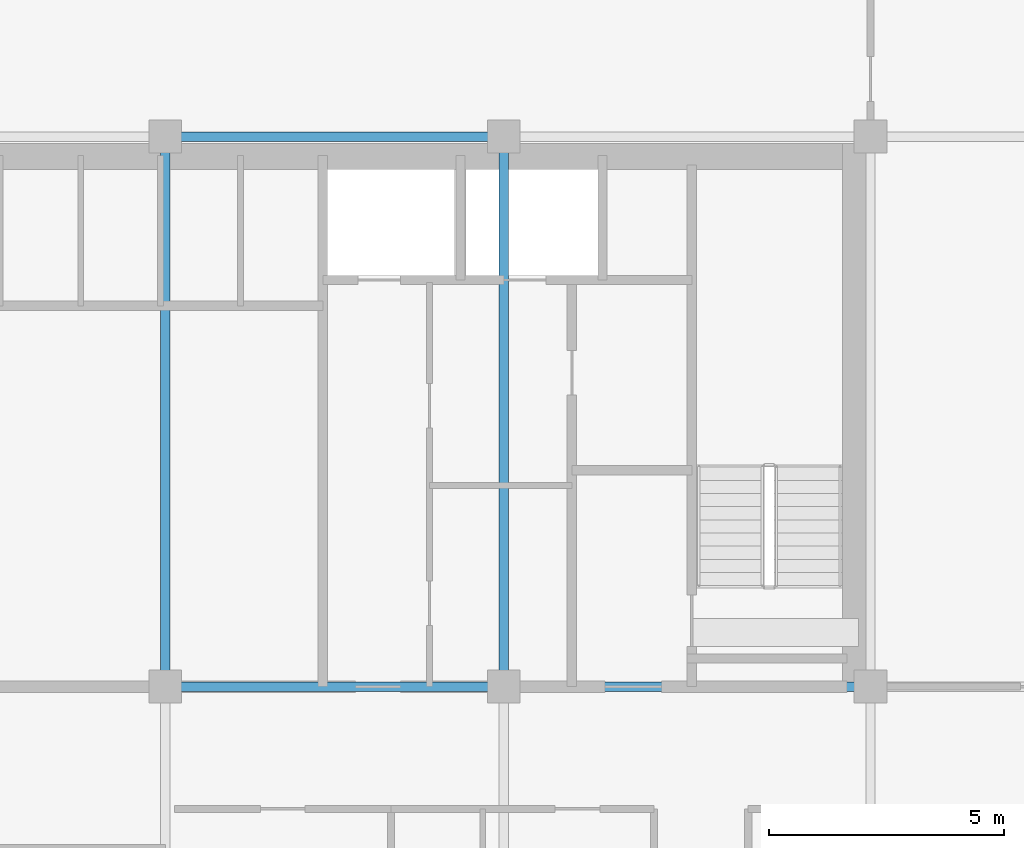
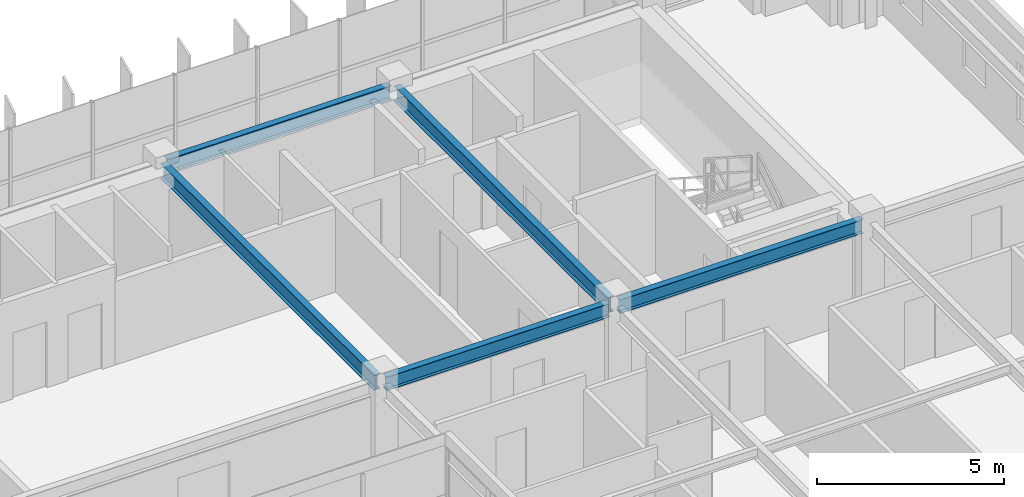
# One storey, part 23 of 37: 5 beams.
"""IFC4 building model written with IfcOpenShell, lengths in metres."""

import ifcopenshell
import ifcopenshell.guid

model = None  # the IFC model being written
_history = None  # IfcOwnerHistory: only IFC2X3 demands one
_inside = {}  # id of a spatial element -> (the spatial element, [elements in it])
_under = {}  # id of a project, library or spatial element -> (it, [spatial elements below it])
_declared = {}  # id of a project -> (the project, [libraries it declares])
_typed = {}  # id of a type object -> (the type object, [elements of that type])
_made_of = {}  # id of a material, layer set ... -> (it, [elements and type objects made of it])


def new_model(schema):
    """Start an empty IFC model of exactly this schema.

    Asked for "IFC4X3", IfcOpenShell would pick the latest addendum, in which some entities
    have other attributes; the version numbers below select the first issue.
    IFC2X3 requires an IfcOwnerHistory on every rooted entity: one is made here for all.
    """
    global model, _history
    if schema == "IFC4X3":
        model = ifcopenshell.file(schema_version=(4, 3, 0, 0))
    else:
        model = ifcopenshell.file(schema=schema)
    _inside.clear()
    _under.clear()
    _declared.clear()
    _typed.clear()
    _made_of.clear()
    _history = None
    if model.schema == "IFC2X3":
        org = make("IfcOrganization", Name="unknown")
        user = make(
            "IfcPersonAndOrganization",
            ThePerson=make("IfcPerson", FamilyName="unknown"),
            TheOrganization=org,
        )
        app = make(
            "IfcApplication",
            ApplicationDeveloper=org,
            Version="unknown",
            ApplicationFullName="unknown",
            ApplicationIdentifier="unknown",
        )
        _history = make(
            "IfcOwnerHistory",
            OwningUser=user,
            OwningApplication=app,
            ChangeAction="ADDED",
            CreationDate=0,
        )
    return model


def make(cls, **values):
    """One entity of the class cls with the attributes given. An attribute that is None is left unset."""
    return model.create_entity(
        cls, **{name: value for name, value in values.items() if value is not None}
    )


def rooted(cls, **values):
    """An entity with a GlobalId (a new one), such as an element, a storey or a relation."""
    return make(cls, GlobalId=ifcopenshell.guid.new(), OwnerHistory=_history, **values)


def si_unit(unit_type, name, prefix=None):
    """IfcSIUnit, for example si_unit("LENGTHUNIT", "METRE", prefix="MILLI")."""
    return make("IfcSIUnit", UnitType=unit_type, Prefix=prefix, Name=name)


def assignment(units):
    """IfcUnitAssignment: the units of a project."""
    return None if units is None else make("IfcUnitAssignment", Units=units)


def point(xyz):
    """IfcCartesianPoint."""
    return None if xyz is None else make("IfcCartesianPoint", Coordinates=xyz)


def direction(xyz):
    """IfcDirection."""
    return None if xyz is None else make("IfcDirection", DirectionRatios=xyz)


def frame(location, z_axis=None, x_axis=None):
    """IfcAxis2Placement3D, a coordinate frame: its origin and axes. An axis left out is left unset."""
    return make(
        "IfcAxis2Placement3D",
        Location=point(location),
        Axis=direction(z_axis),
        RefDirection=direction(x_axis),
    )


def frame_2d(location, x_axis=None):
    """IfcAxis2Placement2D, a coordinate frame in the plane: its origin and x axis."""
    return make(
        "IfcAxis2Placement2D", Location=point(location), RefDirection=direction(x_axis)
    )


def origin():
    """The frame at (0, 0, 0) with its axes left unset."""
    return frame((0.0, 0.0, 0.0))


def origin_2d():
    """The frame at (0, 0) in the plane with its x axis left unset."""
    return frame_2d((0.0, 0.0))


def place(relative_to, where):
    """IfcLocalPlacement: puts the frame where relative to a parent placement (None: the world)."""
    return make(
        "IfcLocalPlacement", PlacementRelTo=relative_to, RelativePlacement=where
    )


def context(
    kind, dimensions, precision=None, world=None, true_north=None, identifier=None
):
    """IfcGeometricRepresentationContext, for example the 3D "Model" context."""
    return make(
        "IfcGeometricRepresentationContext",
        ContextIdentifier=identifier,
        ContextType=kind,
        CoordinateSpaceDimension=dimensions,
        Precision=precision,
        WorldCoordinateSystem=world,
        TrueNorth=true_north,
    )


def subcontext(parent, identifier, kind, view, scale=None):
    """IfcGeometricRepresentationSubContext, for example "Body" below "Model"."""
    return make(
        "IfcGeometricRepresentationSubContext",
        ContextIdentifier=identifier,
        ContextType=kind,
        ParentContext=parent,
        TargetScale=scale,
        TargetView=view,
    )


def project(units=None, contexts=None):
    """IfcProject with its units and contexts."""
    return rooted(
        "IfcProject",
        Name="project",
        RepresentationContexts=contexts,
        UnitsInContext=assignment(units),
    )


def spatial(cls, under=None, at=None, **own):
    """A site, building, storey or space (cls), placed at a placement, below another one or the project."""
    s = rooted(cls, ObjectPlacement=at, **own)
    if under is not None:
        _under.setdefault(under.id(), (under, []))[1].append(s)
    return s


def profile(cls, at=None, kind="AREA", **sizes):
    """A parametric profile (cls). Its sizes go by their IFC names, for example OverallWidth=200.0."""
    return make(cls, ProfileType=kind, Position=at, **sizes)


def i_section(**sizes):
    """IfcIShapeProfileDef."""
    return profile("IfcIShapeProfileDef", **sizes)


def extrude(swept, where, along, depth):
    """IfcExtrudedAreaSolid: the profile swept, set in the frame where, extruded along a direction by depth."""
    return make(
        "IfcExtrudedAreaSolid",
        SweptArea=swept,
        Position=where,
        ExtrudedDirection=direction(along),
        Depth=depth,
    )


def shape(context_of_items, identifier, shape_type, items):
    """IfcShapeRepresentation: the items that make up one representation, for example the "Body"."""
    return make(
        "IfcShapeRepresentation",
        ContextOfItems=context_of_items,
        RepresentationIdentifier=identifier,
        RepresentationType=shape_type,
        Items=items,
    )


def source(mapping_origin, context_of_items, identifier, shape_type, items):
    """IfcRepresentationMap: a shape defined once, which mapped items show again and again."""
    return make(
        "IfcRepresentationMap",
        MappingOrigin=mapping_origin,
        MappedRepresentation=shape(context_of_items, identifier, shape_type, items),
    )


def transform(
    local_origin,
    x_axis=None,
    y_axis=None,
    z_axis=None,
    scale=None,
    scale2=None,
    scale3=None,
    uniform=True,
):
    """IfcCartesianTransformationOperator3D, or its non-uniform kind. x_axis, y_axis, z_axis: its Axis1, 2, 3."""
    if uniform:
        return make(
            "IfcCartesianTransformationOperator3D",
            Axis1=direction(x_axis),
            Axis2=direction(y_axis),
            LocalOrigin=point(local_origin),
            Scale=scale,
            Axis3=direction(z_axis),
        )
    return make(
        "IfcCartesianTransformationOperator3DnonUniform",
        Axis1=direction(x_axis),
        Axis2=direction(y_axis),
        LocalOrigin=point(local_origin),
        Scale=scale,
        Axis3=direction(z_axis),
        Scale2=scale2,
        Scale3=scale3,
    )


def mapped(mapping_source, mapping_target):
    """IfcMappedItem: shows the shape of a source again, moved by a transform."""
    return make(
        "IfcMappedItem", MappingSource=mapping_source, MappingTarget=mapping_target
    )


def material(Name=None, Category=None):
    """IfcMaterial."""
    return make("IfcMaterial", Name=Name, Category=Category)


def material_profile(
    of_material, cross_section, Name=None, Category=None, Priority=None
):
    """IfcMaterialProfile: a cross section and its material."""
    return make(
        "IfcMaterialProfile",
        Name=Name,
        Material=of_material,
        Profile=cross_section,
        Priority=Priority,
        Category=Category,
    )


def profile_set(profiles, Name=None, composite=None):
    """IfcMaterialProfileSet."""
    return make(
        "IfcMaterialProfileSet",
        Name=Name,
        MaterialProfiles=profiles,
        CompositeProfile=composite,
    )


def made_of(thing, what):
    """Note that an element or type object is made of a material, layer set ...; save() writes the relation."""
    if what is not None:
        _made_of.setdefault(what.id(), (what, []))[1].append(thing)
    return thing


def type_object(cls, material=None, **own):
    """A type object (cls), such as IfcWallType, which elements share."""
    return made_of(rooted(cls, **own), material)


def element(
    cls,
    number,
    at=None,
    inside=None,
    cuts=None,
    type_object=None,
    material=None,
    context=None,
    identifier="Body",
    shape_type=None,
    held_by="IfcProductDefinitionShape",
    body=None,
    shapes=None,
    **own,
):
    """One element of the class cls, such as IfcWall. Its Tag is "e" and its number.

    at: its placement. inside: the storey or other place that contains it. cuts: it is an
    opening in that element (IfcRelVoidsElement). A single representation is given by context,
    identifier, shape_type and body (its items); several are given by shapes. held_by: the class
    of the entity that holds the representations. save() writes the other relations.
    """
    e = rooted(cls, Tag="e%d" % number, ObjectPlacement=at, **own)
    if body is not None:
        shapes = [shape(context, identifier, shape_type, body)]
    if shapes is not None:
        e.Representation = make(held_by, Representations=shapes)
    if inside is not None:
        _inside.setdefault(inside.id(), (inside, []))[1].append(e)
    if cuts is not None:
        rooted(
            "IfcRelVoidsElement", RelatingBuildingElement=cuts, RelatedOpeningElement=e
        )
    if type_object is not None:
        _typed.setdefault(type_object.id(), (type_object, []))[1].append(e)
    return made_of(e, material)


def aggregate(whole, parts):
    """IfcRelAggregates: a whole, such as a stair, and the parts it consists of."""
    return rooted("IfcRelAggregates", RelatingObject=whole, RelatedObjects=parts)


def save(model, path):
    """Write the relations noted so far, then the file.

    IfcRelAggregates (storeys below a building ...), IfcRelContainedInSpatialStructure (elements
    in a storey), IfcRelDefinesByType, IfcRelAssociatesMaterial and IfcRelDeclares: one each for
    every whole, place, type object, material and project.
    """
    for whole, parts in _under.values():
        aggregate(whole, parts)
    for where, things in _inside.values():
        rooted(
            "IfcRelContainedInSpatialStructure",
            RelatedElements=things,
            RelatingStructure=where,
        )
    for kind, things in _typed.values():
        rooted("IfcRelDefinesByType", RelatedObjects=things, RelatingType=kind)
    for what, things in _made_of.values():
        rooted("IfcRelAssociatesMaterial", RelatedObjects=things, RelatingMaterial=what)
    for by, libraries in _declared.values():
        rooted("IfcRelDeclares", RelatingContext=by, RelatedDefinitions=libraries)
    model.write(path)


model = new_model("IFC4")

# Units and contexts
model_context = context("Model", 3, precision=1e-05, world=origin(), true_north=direction((0.0, 1.0)))
body_context = subcontext(model_context, "Body", "Model", "MODEL_VIEW")
ifc_project = project(units=[si_unit("LENGTHUNIT", "METRE"), si_unit("AREAUNIT", "SQUARE_METRE"), si_unit("VOLUMEUNIT", "CUBIC_METRE"), si_unit("PLANEANGLEUNIT", "RADIAN"), si_unit("MASSUNIT", "GRAM", prefix="KILO")], contexts=[model_context])

# Site, building, storey
site_placement = place(None, origin())
site = spatial("IfcSite", under=ifc_project, at=site_placement, CompositionType="ELEMENT")
building_placement = place(site_placement, origin())
building = spatial("IfcBuilding", under=site, at=building_placement, Name="Trelvane Seafront Commons", CompositionType="ELEMENT")
storey_placement = place(building_placement, frame((0.0, 0.0, 201.300048828125)))
storey = spatial("IfcBuildingStorey", under=building, at=storey_placement, Name="L52", CompositionType="ELEMENT", Elevation=201.300048828125)

# Beams
ifc_material = material(Name="Steel SM355 (S355)", Category="steel")
ifc_material_profile_1 = material_profile(ifc_material, i_section(OverallWidth=0.199951171875, OverallDepth=0.5, WebThickness=0.010009765625, FlangeThickness=0.01611328125, at=origin_2d()), Name="H-500x200x10x16")
ifc_profile_set_1 = profile_set([ifc_material_profile_1], Name="Steel SM355 (S355)")
beam_type_1 = type_object("IfcBeamType", Name="STR-BM-H500", PredefinedType="BEAM", material=ifc_profile_set_1)
shared_shape_1 = source(origin(), body_context, "Body", "SweptSolid", [
    extrude(i_section(OverallWidth=0.199951171875, OverallDepth=0.5, WebThickness=0.010009765625, FlangeThickness=0.01611328125, at=origin_2d()), origin(), (0.0, 0.0, 1.0), 11.39990234375),
])
for number, where, z_axis, x_axis, name in (
    (1, (43.800048828125, 33.550048828125, 2.969970703125), (0.0, 1.0, 0.0), (-1.0, 0.0, 0.0), "L52 Primary Girder G-43"),
    (2, (51.0, 33.550048828125, 2.969970703125), (0.0, 1.0, 0.0), (-1.0, 0.0, 0.0), "L52 Primary Girder G-46"),
):
    element("IfcBeam", number, at=place(storey_placement, frame(where, z_axis=z_axis, x_axis=x_axis)), inside=storey, type_object=beam_type_1, Name=name, PredefinedType="BEAM", context=body_context, shape_type="MappedRepresentation", body=[
        mapped(shared_shape_1, transform((0.0, 0.0, 0.0), x_axis=(1.0, 0.0, 0.0), y_axis=(0.0, 1.0, 0.0), z_axis=(0.0, 0.0, 1.0), scale=1.0)),
    ])
ifc_material_profile_2 = material_profile(ifc_material, i_section(OverallWidth=0.199951171875, OverallDepth=0.449951171875, WebThickness=0.009033203125, FlangeThickness=0.013916015625, at=origin_2d()), Name="H-450x200x9x14")
ifc_profile_set_2 = profile_set([ifc_material_profile_2], Name="Steel SM355 (S355)")
beam_type_2 = type_object("IfcBeamType", Name="STR-SPD-H450", PredefinedType="SPANDREL", material=ifc_profile_set_2)
shared_shape_2 = source(origin(), body_context, "Body", "SweptSolid", [
    extrude(i_section(OverallWidth=0.199951171875, OverallDepth=0.449951171875, WebThickness=0.009033203125, FlangeThickness=0.013916015625, at=origin_2d()), origin(), (0.0, 0.0, 1.0), 7.5),
])
beam_placement = place(storey_placement, frame((51.14990234375, 33.39990234375, 2.994873046875), z_axis=(1.0, 0.0, 0.0), x_axis=(0.0, 1.0, 0.0)))
element("IfcBeam", 3, at=beam_placement, inside=storey, type_object=beam_type_2, Name="L52 Primary Girder G-20", PredefinedType="SPANDREL", context=body_context, shape_type="MappedRepresentation", body=[
    mapped(shared_shape_2, transform((0.0, 0.0, 0.0), x_axis=(1.0, 0.0, 0.0), y_axis=(0.0, 1.0, 0.0), z_axis=(0.0, 0.0, 1.0), scale=1.0)),
])
shared_shape_3 = source(origin(), body_context, "Body", "SweptSolid", [
    extrude(i_section(OverallWidth=0.199951171875, OverallDepth=0.449951171875, WebThickness=0.009033203125, FlangeThickness=0.013916015625, at=origin_2d()), origin(), (0.0, 0.0, 1.0), 6.900146484375),
])
for number, where, z_axis, x_axis, name in (
    (4, (43.949951171875, 33.39990234375, 2.994873046875), (1.0, 0.0, 0.0), (0.0, 1.0, 0.0), "L52 Primary Girder G-19"),
    (5, (43.949951171875, 45.10009765625, 2.994873046875), (1.0, 0.0, 0.0), (0.0, 1.0, 0.0), "L52 Primary Girder G-26"),
):
    element("IfcBeam", number, at=place(storey_placement, frame(where, z_axis=z_axis, x_axis=x_axis)), inside=storey, type_object=beam_type_2, Name=name, PredefinedType="SPANDREL", context=body_context, shape_type="MappedRepresentation", body=[
        mapped(shared_shape_3, transform((0.0, 0.0, 0.0), x_axis=(1.0, 0.0, 0.0), y_axis=(0.0, 1.0, 0.0), z_axis=(0.0, 0.0, 1.0), scale=1.0)),
    ])

save(model, "model.ifc")
